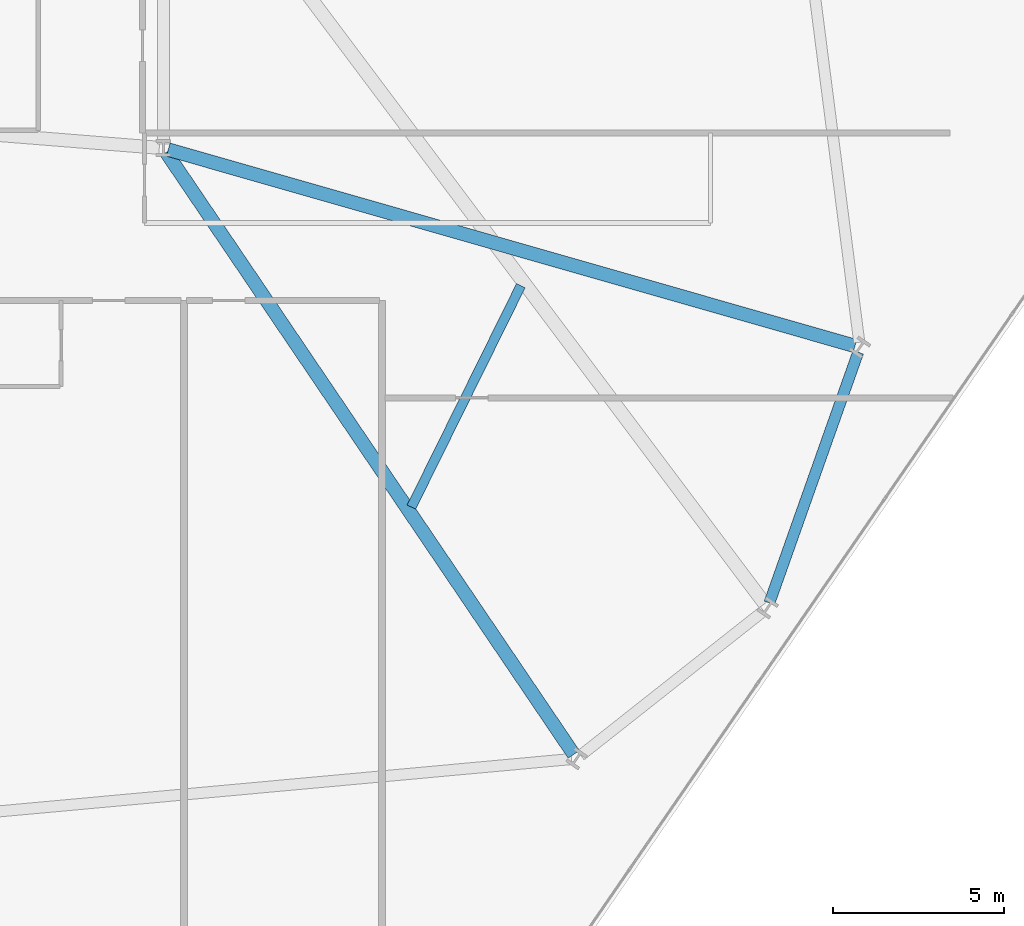
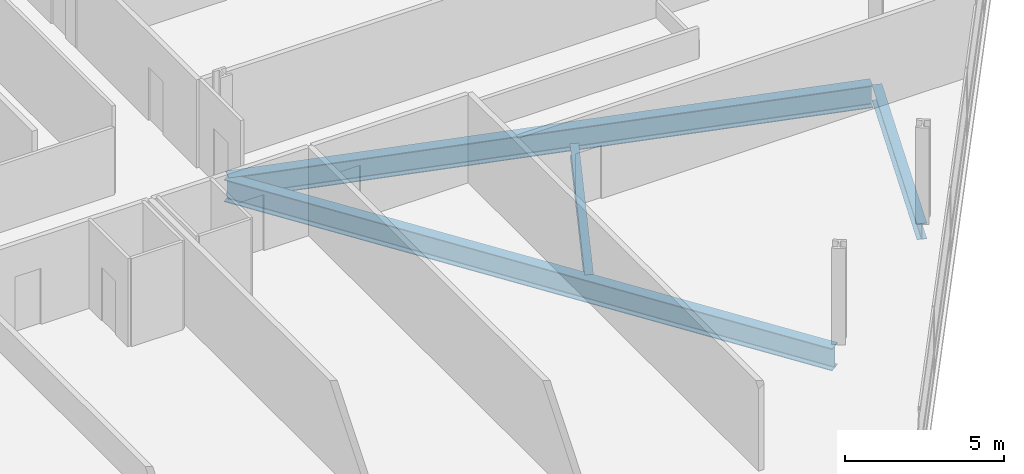
# One storey, part 8 of 24: 4 beams.
"""IFC4 building model written with IfcOpenShell, lengths in metres."""

import ifcopenshell
import ifcopenshell.guid

model = None  # the IFC model being written
_history = None  # IfcOwnerHistory: only IFC2X3 demands one
_inside = {}  # id of a spatial element -> (the spatial element, [elements in it])
_under = {}  # id of a project, library or spatial element -> (it, [spatial elements below it])
_declared = {}  # id of a project -> (the project, [libraries it declares])
_typed = {}  # id of a type object -> (the type object, [elements of that type])
_made_of = {}  # id of a material, layer set ... -> (it, [elements and type objects made of it])


def new_model(schema):
    """Start an empty IFC model of exactly this schema.

    Asked for "IFC4X3", IfcOpenShell would pick the latest addendum, in which some entities
    have other attributes; the version numbers below select the first issue.
    IFC2X3 requires an IfcOwnerHistory on every rooted entity: one is made here for all.
    """
    global model, _history
    if schema == "IFC4X3":
        model = ifcopenshell.file(schema_version=(4, 3, 0, 0))
    else:
        model = ifcopenshell.file(schema=schema)
    _inside.clear()
    _under.clear()
    _declared.clear()
    _typed.clear()
    _made_of.clear()
    _history = None
    if model.schema == "IFC2X3":
        org = make("IfcOrganization", Name="unknown")
        user = make(
            "IfcPersonAndOrganization",
            ThePerson=make("IfcPerson", FamilyName="unknown"),
            TheOrganization=org,
        )
        app = make(
            "IfcApplication",
            ApplicationDeveloper=org,
            Version="unknown",
            ApplicationFullName="unknown",
            ApplicationIdentifier="unknown",
        )
        _history = make(
            "IfcOwnerHistory",
            OwningUser=user,
            OwningApplication=app,
            ChangeAction="ADDED",
            CreationDate=0,
        )
    return model


def make(cls, **values):
    """One entity of the class cls with the attributes given. An attribute that is None is left unset."""
    return model.create_entity(
        cls, **{name: value for name, value in values.items() if value is not None}
    )


def rooted(cls, **values):
    """An entity with a GlobalId (a new one), such as an element, a storey or a relation."""
    return make(cls, GlobalId=ifcopenshell.guid.new(), OwnerHistory=_history, **values)


def si_unit(unit_type, name, prefix=None):
    """IfcSIUnit, for example si_unit("LENGTHUNIT", "METRE", prefix="MILLI")."""
    return make("IfcSIUnit", UnitType=unit_type, Prefix=prefix, Name=name)


def assignment(units):
    """IfcUnitAssignment: the units of a project."""
    return None if units is None else make("IfcUnitAssignment", Units=units)


def point(xyz):
    """IfcCartesianPoint."""
    return None if xyz is None else make("IfcCartesianPoint", Coordinates=xyz)


def direction(xyz):
    """IfcDirection."""
    return None if xyz is None else make("IfcDirection", DirectionRatios=xyz)


def frame(location, z_axis=None, x_axis=None):
    """IfcAxis2Placement3D, a coordinate frame: its origin and axes. An axis left out is left unset."""
    return make(
        "IfcAxis2Placement3D",
        Location=point(location),
        Axis=direction(z_axis),
        RefDirection=direction(x_axis),
    )


def frame_2d(location, x_axis=None):
    """IfcAxis2Placement2D, a coordinate frame in the plane: its origin and x axis."""
    return make(
        "IfcAxis2Placement2D", Location=point(location), RefDirection=direction(x_axis)
    )


def origin():
    """The frame at (0, 0, 0) with its axes left unset."""
    return frame((0.0, 0.0, 0.0))


def origin_2d():
    """The frame at (0, 0) in the plane with its x axis left unset."""
    return frame_2d((0.0, 0.0))


def place(relative_to, where):
    """IfcLocalPlacement: puts the frame where relative to a parent placement (None: the world)."""
    return make(
        "IfcLocalPlacement", PlacementRelTo=relative_to, RelativePlacement=where
    )


def context(
    kind, dimensions, precision=None, world=None, true_north=None, identifier=None
):
    """IfcGeometricRepresentationContext, for example the 3D "Model" context."""
    return make(
        "IfcGeometricRepresentationContext",
        ContextIdentifier=identifier,
        ContextType=kind,
        CoordinateSpaceDimension=dimensions,
        Precision=precision,
        WorldCoordinateSystem=world,
        TrueNorth=true_north,
    )


def subcontext(parent, identifier, kind, view, scale=None):
    """IfcGeometricRepresentationSubContext, for example "Body" below "Model"."""
    return make(
        "IfcGeometricRepresentationSubContext",
        ContextIdentifier=identifier,
        ContextType=kind,
        ParentContext=parent,
        TargetScale=scale,
        TargetView=view,
    )


def project(units=None, contexts=None):
    """IfcProject with its units and contexts."""
    return rooted(
        "IfcProject",
        Name="project",
        RepresentationContexts=contexts,
        UnitsInContext=assignment(units),
    )


def spatial(cls, under=None, at=None, **own):
    """A site, building, storey or space (cls), placed at a placement, below another one or the project."""
    s = rooted(cls, ObjectPlacement=at, **own)
    if under is not None:
        _under.setdefault(under.id(), (under, []))[1].append(s)
    return s


def profile(cls, at=None, kind="AREA", **sizes):
    """A parametric profile (cls). Its sizes go by their IFC names, for example OverallWidth=200.0."""
    return make(cls, ProfileType=kind, Position=at, **sizes)


def i_section(**sizes):
    """IfcIShapeProfileDef."""
    return profile("IfcIShapeProfileDef", **sizes)


def extrude(swept, where, along, depth):
    """IfcExtrudedAreaSolid: the profile swept, set in the frame where, extruded along a direction by depth."""
    return make(
        "IfcExtrudedAreaSolid",
        SweptArea=swept,
        Position=where,
        ExtrudedDirection=direction(along),
        Depth=depth,
    )


def shape(context_of_items, identifier, shape_type, items):
    """IfcShapeRepresentation: the items that make up one representation, for example the "Body"."""
    return make(
        "IfcShapeRepresentation",
        ContextOfItems=context_of_items,
        RepresentationIdentifier=identifier,
        RepresentationType=shape_type,
        Items=items,
    )


def material(Name=None, Category=None):
    """IfcMaterial."""
    return make("IfcMaterial", Name=Name, Category=Category)


def material_profile(
    of_material, cross_section, Name=None, Category=None, Priority=None
):
    """IfcMaterialProfile: a cross section and its material."""
    return make(
        "IfcMaterialProfile",
        Name=Name,
        Material=of_material,
        Profile=cross_section,
        Priority=Priority,
        Category=Category,
    )


def profile_set(profiles, Name=None, composite=None):
    """IfcMaterialProfileSet."""
    return make(
        "IfcMaterialProfileSet",
        Name=Name,
        MaterialProfiles=profiles,
        CompositeProfile=composite,
    )


def made_of(thing, what):
    """Note that an element or type object is made of a material, layer set ...; save() writes the relation."""
    if what is not None:
        _made_of.setdefault(what.id(), (what, []))[1].append(thing)
    return thing


def type_object(cls, material=None, **own):
    """A type object (cls), such as IfcWallType, which elements share."""
    return made_of(rooted(cls, **own), material)


def element(
    cls,
    number,
    at=None,
    inside=None,
    cuts=None,
    type_object=None,
    material=None,
    context=None,
    identifier="Body",
    shape_type=None,
    held_by="IfcProductDefinitionShape",
    body=None,
    shapes=None,
    **own,
):
    """One element of the class cls, such as IfcWall. Its Tag is "e" and its number.

    at: its placement. inside: the storey or other place that contains it. cuts: it is an
    opening in that element (IfcRelVoidsElement). A single representation is given by context,
    identifier, shape_type and body (its items); several are given by shapes. held_by: the class
    of the entity that holds the representations. save() writes the other relations.
    """
    e = rooted(cls, Tag="e%d" % number, ObjectPlacement=at, **own)
    if body is not None:
        shapes = [shape(context, identifier, shape_type, body)]
    if shapes is not None:
        e.Representation = make(held_by, Representations=shapes)
    if inside is not None:
        _inside.setdefault(inside.id(), (inside, []))[1].append(e)
    if cuts is not None:
        rooted(
            "IfcRelVoidsElement", RelatingBuildingElement=cuts, RelatedOpeningElement=e
        )
    if type_object is not None:
        _typed.setdefault(type_object.id(), (type_object, []))[1].append(e)
    return made_of(e, material)


def aggregate(whole, parts):
    """IfcRelAggregates: a whole, such as a stair, and the parts it consists of."""
    return rooted("IfcRelAggregates", RelatingObject=whole, RelatedObjects=parts)


def save(model, path):
    """Write the relations noted so far, then the file.

    IfcRelAggregates (storeys below a building ...), IfcRelContainedInSpatialStructure (elements
    in a storey), IfcRelDefinesByType, IfcRelAssociatesMaterial and IfcRelDeclares: one each for
    every whole, place, type object, material and project.
    """
    for whole, parts in _under.values():
        aggregate(whole, parts)
    for where, things in _inside.values():
        rooted(
            "IfcRelContainedInSpatialStructure",
            RelatedElements=things,
            RelatingStructure=where,
        )
    for kind, things in _typed.values():
        rooted("IfcRelDefinesByType", RelatedObjects=things, RelatingType=kind)
    for what, things in _made_of.values():
        rooted("IfcRelAssociatesMaterial", RelatedObjects=things, RelatingMaterial=what)
    for by, libraries in _declared.values():
        rooted("IfcRelDeclares", RelatingContext=by, RelatedDefinitions=libraries)
    model.write(path)


model = new_model("IFC4")

# Units and contexts
model_context = context("Model", 3, precision=1e-05, world=origin(), true_north=direction((0.0, 1.0)))
body_context = subcontext(model_context, "Body", "Model", "MODEL_VIEW")
ifc_project = project(units=[si_unit("LENGTHUNIT", "METRE"), si_unit("AREAUNIT", "SQUARE_METRE"), si_unit("VOLUMEUNIT", "CUBIC_METRE"), si_unit("PLANEANGLEUNIT", "RADIAN"), si_unit("MASSUNIT", "GRAM", prefix="KILO")], contexts=[model_context])

# Site, building, storey
site_placement = place(None, origin())
site = spatial("IfcSite", under=ifc_project, at=site_placement, CompositionType="ELEMENT")
building_placement = place(site_placement, origin())
building = spatial("IfcBuilding", under=site, at=building_placement, Name="Varnelok Gate Tower", CompositionType="ELEMENT")
storey_placement = place(building_placement, frame((0.0, 0.0, 67.699951171875)))
storey = spatial("IfcBuildingStorey", under=building, at=storey_placement, Name="L16", CompositionType="ELEMENT", Elevation=67.699951171875)

# Beams
ifc_material = material(Name="Structural Steel ASTM A992 Grade 50", Category="steel")
ifc_material_profile_1 = material_profile(ifc_material, i_section(OverallWidth=0.280029296875, OverallDepth=0.462890625, WebThickness=0.0107421875, FlangeThickness=0.017333984375, FilletRadius=0.014892578125, at=origin_2d()), Name="W18X76")
ifc_profile_set_1 = profile_set([ifc_material_profile_1], Name="Structural Steel ASTM A992 Grade 50")
beam_type_1 = type_object("IfcBeamType", Name="BM-JST-W18X76", PredefinedType="JOIST", material=ifc_profile_set_1)
beam_1_placement = place(storey_placement, frame((61.25244140625, 8.306396484375, -0.4814453125), z_axis=(0.443164269457, 0.896440422045, 0.0), x_axis=(-0.896440422045, 0.443164269457, 0.0)))
element("IfcBeam", 1, at=beam_1_placement, inside=storey, type_object=beam_type_1, Name="L16 Sector Floor Joist 5", PredefinedType="JOIST", context=body_context, shape_type="SweptSolid", body=[
    extrude(i_section(OverallWidth=0.280029296875, OverallDepth=0.462890625, WebThickness=0.0107421875, FlangeThickness=0.017333984375, FilletRadius=0.014892578125, at=origin_2d()), origin(), (0.0, 0.0, 1.0), 7.218994140625),
])
ifc_material_profile_2 = material_profile(ifc_material, i_section(OverallWidth=0.39892578125, OverallDepth=0.85498046875, WebThickness=0.018310546875, FlangeThickness=0.029296875, FilletRadius=0.02392578125, at=origin_2d()), Name="W33X201")
ifc_profile_set_2 = profile_set([ifc_material_profile_2], Name="Structural Steel ASTM A992 Grade 50")
beam_type_2 = type_object("IfcBeamType", Name="BM-PRI-W33X201", PredefinedType="BEAM", material=ifc_profile_set_2)
beam_2_placement = place(storey_placement, frame((54.083984375, 18.67578125, -0.677490234375), z_axis=(0.560684565433, -0.828029478995, 0.0), x_axis=(0.828029478995, 0.560684565433, 0.0)))
element("IfcBeam", 2, at=beam_2_placement, inside=storey, type_object=beam_type_2, Name="L16 Radial Floor Girder 6", PredefinedType="BEAM", context=body_context, shape_type="SweptSolid", body=[
    extrude(i_section(OverallWidth=0.39892578125, OverallDepth=0.85498046875, WebThickness=0.018310546875, FlangeThickness=0.029296875, FilletRadius=0.02392578125, at=origin_2d()), origin(), (0.0, 0.0, 1.0), 21.25390625),
])
beam_3_placement = place(storey_placement, frame((54.144287109375, 18.7587890625, -0.677490234375), z_axis=(0.961463485116, -0.274932658643, 0.0), x_axis=(0.274932658643, 0.961463485116, 0.0)))
element("IfcBeam", 3, at=beam_3_placement, inside=storey, type_object=beam_type_2, Name="L16 Radial Floor Girder 8", PredefinedType="BEAM", context=body_context, shape_type="SweptSolid", body=[
    extrude(i_section(OverallWidth=0.39892578125, OverallDepth=0.85498046875, WebThickness=0.018310546875, FlangeThickness=0.029296875, FilletRadius=0.02392578125, at=origin_2d()), origin(), (0.0, 0.0, 1.0), 20.883056640625),
])
ifc_material_profile_3 = material_profile(ifc_material, i_section(OverallWidth=0.323974609375, OverallDepth=0.611083984375, WebThickness=0.0126953125, FlangeThickness=0.01904296875, FilletRadius=0.01806640625, at=origin_2d()), Name="W24X104")
ifc_profile_set_3 = profile_set([ifc_material_profile_3], Name="Structural Steel ASTM A992 Grade 50")
beam_type_3 = type_object("IfcBeamType", Name="BM-SPN-W24X104", PredefinedType="SPANDREL", material=ifc_profile_set_3)
beam_4_placement = place(storey_placement, frame((71.72021484375, 5.50390625, -0.555419921875), z_axis=(0.333887238705, 0.942613023372, 0.0), x_axis=(-0.942613023372, 0.333887238705, 0.0)))
element("IfcBeam", 4, at=beam_4_placement, inside=storey, type_object=beam_type_3, Name="L16 Perimeter Spandrel Beam 7", PredefinedType="SPANDREL", context=body_context, shape_type="SweptSolid", body=[
    extrude(i_section(OverallWidth=0.323974609375, OverallDepth=0.611083984375, WebThickness=0.0126953125, FlangeThickness=0.01904296875, FilletRadius=0.01806640625, at=origin_2d()), origin(), (0.0, 0.0, 1.0), 7.777099609375),
])

save(model, "model.ifc")
